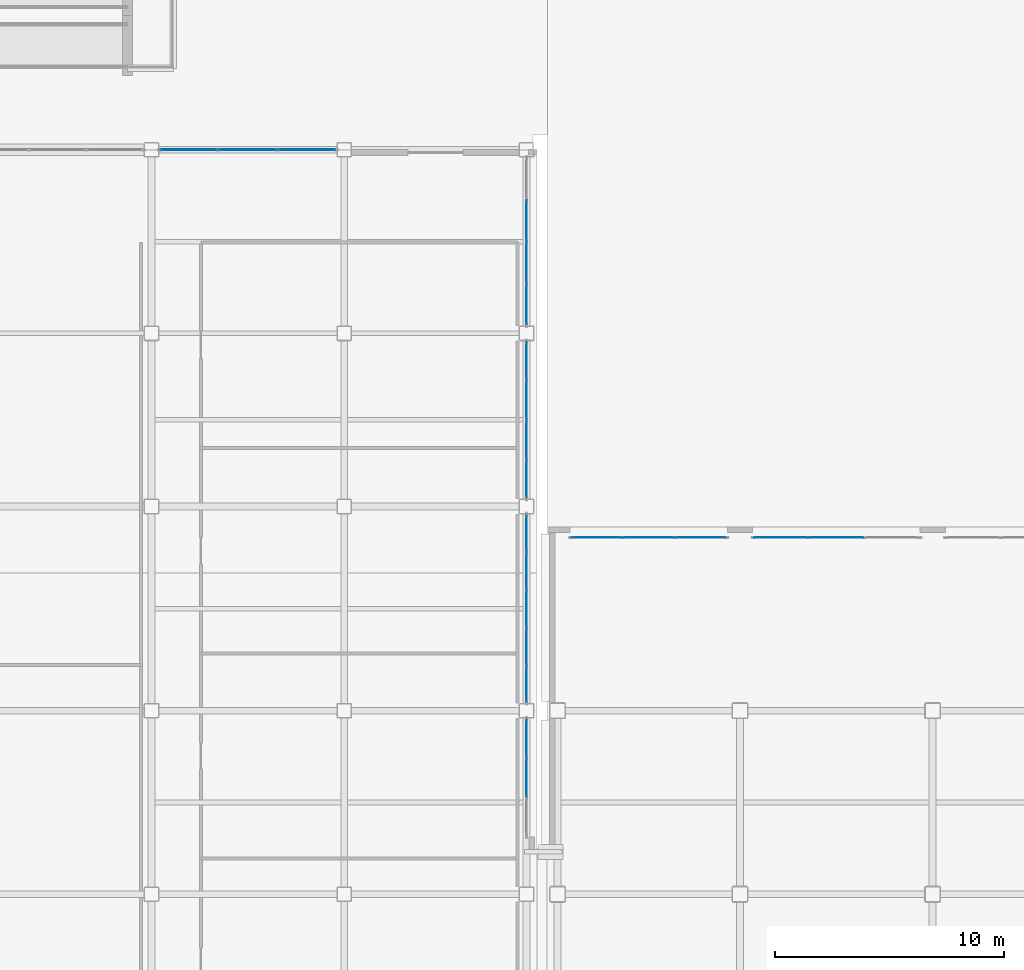
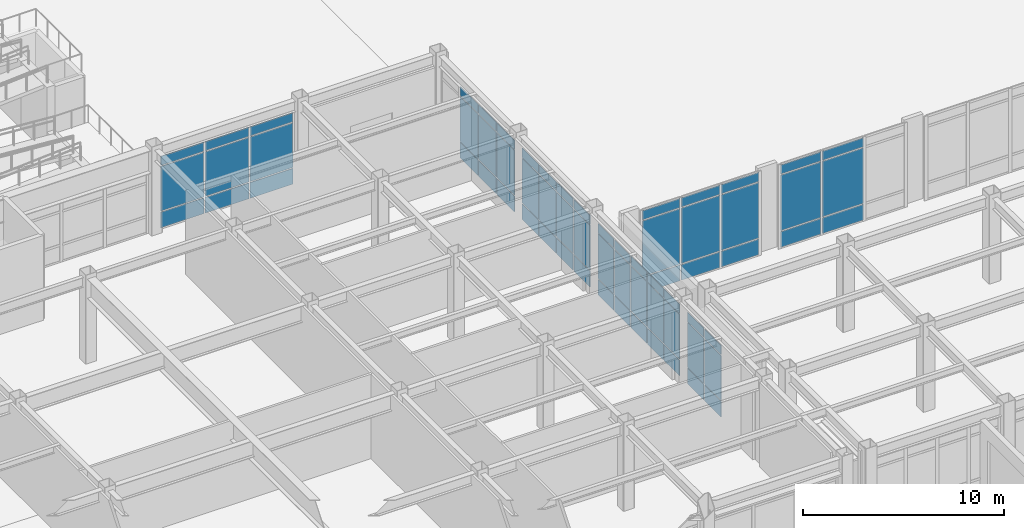
# One storey, part 114 of 165: 66 plates, 7 elements without a shape of their own.
"""IFC4 building model written with IfcOpenShell, lengths in metres."""

from ifc_helpers import new_model, si_unit, direction, frame, origin, origin_2d, place, context, subcontext, project, spatial, rectangle, extrude, material, layer, layer_set, type_object, element, aggregate, save


model = new_model("IFC4")

# Units and contexts
model_context = context("Model", 3, precision=1e-05, world=origin(), true_north=direction((0.0, 1.0)))
body_context = subcontext(model_context, "Body", "Model", "MODEL_VIEW")
ifc_project = project(units=[si_unit("LENGTHUNIT", "METRE"), si_unit("AREAUNIT", "SQUARE_METRE"), si_unit("VOLUMEUNIT", "CUBIC_METRE"), si_unit("PLANEANGLEUNIT", "RADIAN"), si_unit("MASSUNIT", "GRAM", prefix="KILO")], contexts=[model_context])

# Site, building, storey
site_placement = place(None, origin())
site = spatial("IfcSite", under=ifc_project, at=site_placement, CompositionType="ELEMENT")
building_placement = place(site_placement, origin())
building = spatial("IfcBuilding", under=site, at=building_placement, Name="Kazehara Bluff Congress Hotel", CompositionType="ELEMENT")
storey_placement = place(building_placement, origin())
storey = spatial("IfcBuildingStorey", under=building, at=storey_placement, Name="L00", CompositionType="ELEMENT", Elevation=0.0)

# Curtain wall, plates
ifc_material_1 = material(Name="Anodised aluminium", Category="aluminium")
ifc_layer_1 = layer(ifc_material_1, 0.159912109375)
ifc_layer_set_1 = layer_set([ifc_layer_1], Name="Anodised aluminium")
curtain_wall_type_1 = type_object("IfcCurtainWallType", Name="TP-CW-49", PredefinedType="NOTDEFINED", material=ifc_layer_set_1)
curtain_wall_1_placement = place(storey_placement, origin())
curtain_wall_1 = element("IfcCurtainWall", 1, at=curtain_wall_1_placement, inside=storey, type_object=curtain_wall_type_1, Name="L00 curtain wall CW-49 CW-V4-L00-X10920-2650", PredefinedType="NOTDEFINED")
ifc_material_2 = material(Name="Insulated low-E double glazing", Category="glass")
ifc_layer_2 = layer(ifc_material_2, 0.031982421875)
ifc_layer_set_2 = layer_set([ifc_layer_2], Name="Insulated low-E double glazing")
plate_type = type_object("IfcPlateType", Name="TP-CWP-02", PredefinedType="CURTAIN_PANEL", material=ifc_layer_set_2)
plate_1_placement = place(storey_placement, frame((109.199951171875, 29.08740234375, 0.06005859375), z_axis=(0.0, 0.0, 1.0), x_axis=(0.0, 1.0, 0.0)))
plate_1 = element("IfcPlate", 2, at=plate_1_placement, type_object=plate_type, Name="CW-49 panel 2.1", PredefinedType="CURTAIN_PANEL", context=body_context, shape_type="SweptSolid", body=[
    extrude(rectangle(XDim=1.655029296875, YDim=0.031982421875, at=origin_2d()), origin(), (0.0, 0.0, 1.0), 0.9599609375),
])
plate_2_placement = place(storey_placement, frame((109.199951171875, 29.08740234375, 1.080078125), z_axis=(0.0, 0.0, 1.0), x_axis=(0.0, 1.0, 0.0)))
plate_2 = element("IfcPlate", 3, at=plate_2_placement, type_object=plate_type, Name="CW-49 panel 2.2", PredefinedType="CURTAIN_PANEL", context=body_context, shape_type="SweptSolid", body=[
    extrude(rectangle(XDim=1.655029296875, YDim=0.031982421875, at=origin_2d()), origin(), (0.0, 0.0, 1.0), 2.715087890625),
])
plate_3_placement = place(storey_placement, frame((109.199951171875, 29.08740234375, 3.85498046875), z_axis=(0.0, 0.0, 1.0), x_axis=(0.0, 1.0, 0.0)))
plate_3 = element("IfcPlate", 4, at=plate_3_placement, type_object=plate_type, Name="CW-49 panel 2.3", PredefinedType="CURTAIN_PANEL", context=body_context, shape_type="SweptSolid", body=[
    extrude(rectangle(XDim=1.655029296875, YDim=0.031982421875, at=origin_2d()), origin(), (0.0, 0.0, 1.0), 0.56005859375),
])
plate_4_placement = place(storey_placement, frame((109.199951171875, 30.794921875, 0.06005859375), z_axis=(0.0, 0.0, 1.0), x_axis=(0.0, 1.0, 0.0)))
plate_4 = element("IfcPlate", 5, at=plate_4_placement, type_object=plate_type, Name="CW-49 panel 3.1", PredefinedType="CURTAIN_PANEL", context=body_context, shape_type="SweptSolid", body=[
    extrude(rectangle(XDim=1.6201171875, YDim=0.031982421875, at=origin_2d()), origin(), (0.0, 0.0, 1.0), 0.9599609375),
])
plate_5_placement = place(storey_placement, frame((109.199951171875, 30.794921875, 1.080078125), z_axis=(0.0, 0.0, 1.0), x_axis=(0.0, 1.0, 0.0)))
plate_5 = element("IfcPlate", 6, at=plate_5_placement, type_object=plate_type, Name="CW-49 panel 3.2", PredefinedType="CURTAIN_PANEL", context=body_context, shape_type="SweptSolid", body=[
    extrude(rectangle(XDim=1.6201171875, YDim=0.031982421875, at=origin_2d()), origin(), (0.0, 0.0, 1.0), 2.715087890625),
])
plate_6_placement = place(storey_placement, frame((109.199951171875, 30.794921875, 3.85498046875), z_axis=(0.0, 0.0, 1.0), x_axis=(0.0, 1.0, 0.0)))
plate_6 = element("IfcPlate", 7, at=plate_6_placement, type_object=plate_type, Name="CW-49 panel 3.3", PredefinedType="CURTAIN_PANEL", context=body_context, shape_type="SweptSolid", body=[
    extrude(rectangle(XDim=1.6201171875, YDim=0.031982421875, at=origin_2d()), origin(), (0.0, 0.0, 1.0), 0.56005859375),
])
aggregate(curtain_wall_1, [plate_1, plate_2, plate_3, plate_4, plate_5, plate_6])

ifc_material_3 = material(Name="Anodised aluminium", Category="aluminium")
ifc_layer_3 = layer(ifc_material_3, 0.159912109375)
ifc_layer_set_3 = layer_set([ifc_layer_3], Name="Anodised aluminium")
curtain_wall_type_2 = type_object("IfcCurtainWallType", Name="TP-CW-50", PredefinedType="NOTDEFINED", material=ifc_layer_set_3)
curtain_wall_2_placement = place(storey_placement, origin())
curtain_wall_2 = element("IfcCurtainWall", 8, at=curtain_wall_2_placement, inside=storey, type_object=curtain_wall_type_2, Name="L00 curtain wall CW-50 CW-V4-L00-X10920-3233", PredefinedType="NOTDEFINED")
plate_7_placement = place(storey_placement, frame((109.199951171875, 33.16748046875, 0.06494140625), z_axis=(0.0, 0.0, 1.0), x_axis=(0.0, 1.0, 0.0)))
plate_7 = element("IfcPlate", 9, at=plate_7_placement, type_object=plate_type, Name="CW-50 panel 1.1", PredefinedType="CURTAIN_PANEL", context=body_context, shape_type="SweptSolid", body=[
    extrude(rectangle(XDim=1.544921875, YDim=0.031982421875, at=origin_2d()), origin(), (0.0, 0.0, 1.0), 0.952392578125),
])
plate_8_placement = place(storey_placement, frame((109.199951171875, 33.16748046875, 1.08251953125), z_axis=(0.0, 0.0, 1.0), x_axis=(0.0, 1.0, 0.0)))
plate_8 = element("IfcPlate", 10, at=plate_8_placement, type_object=plate_type, Name="CW-50 panel 1.2", PredefinedType="CURTAIN_PANEL", context=body_context, shape_type="SweptSolid", body=[
    extrude(rectangle(XDim=1.544921875, YDim=0.031982421875, at=origin_2d()), origin(), (0.0, 0.0, 1.0), 2.7099609375),
])
plate_9_placement = place(storey_placement, frame((109.199951171875, 33.16748046875, 3.857421875), z_axis=(0.0, 0.0, 1.0), x_axis=(0.0, 1.0, 0.0)))
plate_9 = element("IfcPlate", 11, at=plate_9_placement, type_object=plate_type, Name="CW-50 panel 1.3", PredefinedType="CURTAIN_PANEL", context=body_context, shape_type="SweptSolid", body=[
    extrude(rectangle(XDim=1.544921875, YDim=0.031982421875, at=origin_2d()), origin(), (0.0, 0.0, 1.0), 0.552490234375),
])
plate_10_placement = place(storey_placement, frame((109.199951171875, 34.800048828125, 0.06494140625), z_axis=(0.0, 0.0, 1.0), x_axis=(0.0, 1.0, 0.0)))
plate_10 = element("IfcPlate", 12, at=plate_10_placement, type_object=plate_type, Name="CW-50 panel 2.1", PredefinedType="CURTAIN_PANEL", context=body_context, shape_type="SweptSolid", body=[
    extrude(rectangle(XDim=1.580078125, YDim=0.031982421875, at=origin_2d()), origin(), (0.0, 0.0, 1.0), 0.952392578125),
])
plate_11_placement = place(storey_placement, frame((109.199951171875, 34.800048828125, 1.08251953125), z_axis=(0.0, 0.0, 1.0), x_axis=(0.0, 1.0, 0.0)))
plate_11 = element("IfcPlate", 13, at=plate_11_placement, type_object=plate_type, Name="CW-50 panel 2.2", PredefinedType="CURTAIN_PANEL", context=body_context, shape_type="SweptSolid", body=[
    extrude(rectangle(XDim=1.580078125, YDim=0.031982421875, at=origin_2d()), origin(), (0.0, 0.0, 1.0), 2.7099609375),
])
plate_12_placement = place(storey_placement, frame((109.199951171875, 34.800048828125, 3.857421875), z_axis=(0.0, 0.0, 1.0), x_axis=(0.0, 1.0, 0.0)))
plate_12 = element("IfcPlate", 14, at=plate_12_placement, type_object=plate_type, Name="CW-50 panel 2.3", PredefinedType="CURTAIN_PANEL", context=body_context, shape_type="SweptSolid", body=[
    extrude(rectangle(XDim=1.580078125, YDim=0.031982421875, at=origin_2d()), origin(), (0.0, 0.0, 1.0), 0.552490234375),
])
plate_13_placement = place(storey_placement, frame((109.199951171875, 36.449951171875, 0.06494140625), z_axis=(0.0, 0.0, 1.0), x_axis=(0.0, 1.0, 0.0)))
plate_13 = element("IfcPlate", 15, at=plate_13_placement, type_object=plate_type, Name="CW-50 panel 3.1", PredefinedType="CURTAIN_PANEL", context=body_context, shape_type="SweptSolid", body=[
    extrude(rectangle(XDim=1.580078125, YDim=0.031982421875, at=origin_2d()), origin(), (0.0, 0.0, 1.0), 0.952392578125),
])
plate_14_placement = place(storey_placement, frame((109.199951171875, 36.449951171875, 1.08251953125), z_axis=(0.0, 0.0, 1.0), x_axis=(0.0, 1.0, 0.0)))
plate_14 = element("IfcPlate", 16, at=plate_14_placement, type_object=plate_type, Name="CW-50 panel 3.2", PredefinedType="CURTAIN_PANEL", context=body_context, shape_type="SweptSolid", body=[
    extrude(rectangle(XDim=1.580078125, YDim=0.031982421875, at=origin_2d()), origin(), (0.0, 0.0, 1.0), 2.7099609375),
])
plate_15_placement = place(storey_placement, frame((109.199951171875, 36.449951171875, 3.857421875), z_axis=(0.0, 0.0, 1.0), x_axis=(0.0, 1.0, 0.0)))
plate_15 = element("IfcPlate", 17, at=plate_15_placement, type_object=plate_type, Name="CW-50 panel 3.3", PredefinedType="CURTAIN_PANEL", context=body_context, shape_type="SweptSolid", body=[
    extrude(rectangle(XDim=1.580078125, YDim=0.031982421875, at=origin_2d()), origin(), (0.0, 0.0, 1.0), 0.552490234375),
])
plate_16_placement = place(storey_placement, frame((109.199951171875, 38.10009765625, 0.06494140625), z_axis=(0.0, 0.0, 1.0), x_axis=(0.0, 1.0, 0.0)))
plate_16 = element("IfcPlate", 18, at=plate_16_placement, type_object=plate_type, Name="CW-50 panel 4.1", PredefinedType="CURTAIN_PANEL", context=body_context, shape_type="SweptSolid", body=[
    extrude(rectangle(XDim=1.580078125, YDim=0.031982421875, at=origin_2d()), origin(), (0.0, 0.0, 1.0), 0.952392578125),
])
plate_17_placement = place(storey_placement, frame((109.199951171875, 38.10009765625, 1.08251953125), z_axis=(0.0, 0.0, 1.0), x_axis=(0.0, 1.0, 0.0)))
plate_17 = element("IfcPlate", 19, at=plate_17_placement, type_object=plate_type, Name="CW-50 panel 4.2", PredefinedType="CURTAIN_PANEL", context=body_context, shape_type="SweptSolid", body=[
    extrude(rectangle(XDim=1.580078125, YDim=0.031982421875, at=origin_2d()), origin(), (0.0, 0.0, 1.0), 2.7099609375),
])
plate_18_placement = place(storey_placement, frame((109.199951171875, 38.10009765625, 3.857421875), z_axis=(0.0, 0.0, 1.0), x_axis=(0.0, 1.0, 0.0)))
plate_18 = element("IfcPlate", 20, at=plate_18_placement, type_object=plate_type, Name="CW-50 panel 4.3", PredefinedType="CURTAIN_PANEL", context=body_context, shape_type="SweptSolid", body=[
    extrude(rectangle(XDim=1.580078125, YDim=0.031982421875, at=origin_2d()), origin(), (0.0, 0.0, 1.0), 0.552490234375),
])
plate_19_placement = place(storey_placement, frame((109.199951171875, 39.732421875, 0.06494140625), z_axis=(0.0, 0.0, 1.0), x_axis=(0.0, 1.0, 0.0)))
plate_19 = element("IfcPlate", 21, at=plate_19_placement, type_object=plate_type, Name="CW-50 panel 5.1", PredefinedType="CURTAIN_PANEL", context=body_context, shape_type="SweptSolid", body=[
    extrude(rectangle(XDim=1.544921875, YDim=0.031982421875, at=origin_2d()), origin(), (0.0, 0.0, 1.0), 0.952392578125),
])
plate_20_placement = place(storey_placement, frame((109.199951171875, 39.732421875, 1.08251953125), z_axis=(0.0, 0.0, 1.0), x_axis=(0.0, 1.0, 0.0)))
plate_20 = element("IfcPlate", 22, at=plate_20_placement, type_object=plate_type, Name="CW-50 panel 5.2", PredefinedType="CURTAIN_PANEL", context=body_context, shape_type="SweptSolid", body=[
    extrude(rectangle(XDim=1.544921875, YDim=0.031982421875, at=origin_2d()), origin(), (0.0, 0.0, 1.0), 2.7099609375),
])
plate_21_placement = place(storey_placement, frame((109.199951171875, 39.732421875, 3.857421875), z_axis=(0.0, 0.0, 1.0), x_axis=(0.0, 1.0, 0.0)))
plate_21 = element("IfcPlate", 23, at=plate_21_placement, type_object=plate_type, Name="CW-50 panel 5.3", PredefinedType="CURTAIN_PANEL", context=body_context, shape_type="SweptSolid", body=[
    extrude(rectangle(XDim=1.544921875, YDim=0.031982421875, at=origin_2d()), origin(), (0.0, 0.0, 1.0), 0.552490234375),
])
aggregate(curtain_wall_2, [plate_7, plate_8, plate_9, plate_10, plate_11, plate_12, plate_13, plate_14, plate_15, plate_16, plate_17, plate_18, plate_19, plate_20, plate_21])

ifc_material_4 = material(Name="Anodised aluminium", Category="aluminium")
ifc_layer_4 = layer(ifc_material_4, 0.159912109375)
ifc_layer_set_4 = layer_set([ifc_layer_4], Name="Anodised aluminium")
curtain_wall_type_3 = type_object("IfcCurtainWallType", Name="TP-CW-51", PredefinedType="NOTDEFINED", material=ifc_layer_set_4)
curtain_wall_3_placement = place(storey_placement, origin())
curtain_wall_3 = element("IfcCurtainWall", 24, at=curtain_wall_3_placement, inside=storey, type_object=curtain_wall_type_3, Name="L00 curtain wall CW-51 CW-V4-L00-X10920-4122", PredefinedType="NOTDEFINED")
plate_22_placement = place(storey_placement, frame((109.199951171875, 42.10498046875, 0.06494140625), z_axis=(0.0, 0.0, 1.0), x_axis=(0.0, 1.0, 0.0)))
plate_22 = element("IfcPlate", 25, at=plate_22_placement, type_object=plate_type, Name="CW-51 panel 1.1", PredefinedType="CURTAIN_PANEL", context=body_context, shape_type="SweptSolid", body=[
    extrude(rectangle(XDim=1.6201171875, YDim=0.031982421875, at=origin_2d()), origin(), (0.0, 0.0, 1.0), 0.952392578125),
])
plate_23_placement = place(storey_placement, frame((109.199951171875, 42.10498046875, 1.08251953125), z_axis=(0.0, 0.0, 1.0), x_axis=(0.0, 1.0, 0.0)))
plate_23 = element("IfcPlate", 26, at=plate_23_placement, type_object=plate_type, Name="CW-51 panel 1.2", PredefinedType="CURTAIN_PANEL", context=body_context, shape_type="SweptSolid", body=[
    extrude(rectangle(XDim=1.6201171875, YDim=0.031982421875, at=origin_2d()), origin(), (0.0, 0.0, 1.0), 2.7099609375),
])
plate_24_placement = place(storey_placement, frame((109.199951171875, 42.10498046875, 3.857421875), z_axis=(0.0, 0.0, 1.0), x_axis=(0.0, 1.0, 0.0)))
plate_24 = element("IfcPlate", 27, at=plate_24_placement, type_object=plate_type, Name="CW-51 panel 1.3", PredefinedType="CURTAIN_PANEL", context=body_context, shape_type="SweptSolid", body=[
    extrude(rectangle(XDim=1.6201171875, YDim=0.031982421875, at=origin_2d()), origin(), (0.0, 0.0, 1.0), 0.552490234375),
])
plate_25_placement = place(storey_placement, frame((109.199951171875, 43.8125, 0.06494140625), z_axis=(0.0, 0.0, 1.0), x_axis=(0.0, 1.0, 0.0)))
plate_25 = element("IfcPlate", 28, at=plate_25_placement, type_object=plate_type, Name="CW-51 panel 2.1", PredefinedType="CURTAIN_PANEL", context=body_context, shape_type="SweptSolid", body=[
    extrude(rectangle(XDim=1.655029296875, YDim=0.031982421875, at=origin_2d()), origin(), (0.0, 0.0, 1.0), 0.952392578125),
])
plate_26_placement = place(storey_placement, frame((109.199951171875, 43.8125, 1.08251953125), z_axis=(0.0, 0.0, 1.0), x_axis=(0.0, 1.0, 0.0)))
plate_26 = element("IfcPlate", 29, at=plate_26_placement, type_object=plate_type, Name="CW-51 panel 2.2", PredefinedType="CURTAIN_PANEL", context=body_context, shape_type="SweptSolid", body=[
    extrude(rectangle(XDim=1.655029296875, YDim=0.031982421875, at=origin_2d()), origin(), (0.0, 0.0, 1.0), 2.7099609375),
])
plate_27_placement = place(storey_placement, frame((109.199951171875, 43.8125, 3.857421875), z_axis=(0.0, 0.0, 1.0), x_axis=(0.0, 1.0, 0.0)))
plate_27 = element("IfcPlate", 30, at=plate_27_placement, type_object=plate_type, Name="CW-51 panel 2.3", PredefinedType="CURTAIN_PANEL", context=body_context, shape_type="SweptSolid", body=[
    extrude(rectangle(XDim=1.655029296875, YDim=0.031982421875, at=origin_2d()), origin(), (0.0, 0.0, 1.0), 0.552490234375),
])
plate_28_placement = place(storey_placement, frame((109.199951171875, 45.53759765625, 0.06494140625), z_axis=(0.0, 0.0, 1.0), x_axis=(0.0, 1.0, 0.0)))
plate_28 = element("IfcPlate", 31, at=plate_28_placement, type_object=plate_type, Name="CW-51 panel 3.1", PredefinedType="CURTAIN_PANEL", context=body_context, shape_type="SweptSolid", body=[
    extrude(rectangle(XDim=1.655029296875, YDim=0.031982421875, at=origin_2d()), origin(), (0.0, 0.0, 1.0), 0.952392578125),
])
plate_29_placement = place(storey_placement, frame((109.199951171875, 45.53759765625, 1.08251953125), z_axis=(0.0, 0.0, 1.0), x_axis=(0.0, 1.0, 0.0)))
plate_29 = element("IfcPlate", 32, at=plate_29_placement, type_object=plate_type, Name="CW-51 panel 3.2", PredefinedType="CURTAIN_PANEL", context=body_context, shape_type="SweptSolid", body=[
    extrude(rectangle(XDim=1.655029296875, YDim=0.031982421875, at=origin_2d()), origin(), (0.0, 0.0, 1.0), 2.7099609375),
])
plate_30_placement = place(storey_placement, frame((109.199951171875, 45.53759765625, 3.857421875), z_axis=(0.0, 0.0, 1.0), x_axis=(0.0, 1.0, 0.0)))
plate_30 = element("IfcPlate", 33, at=plate_30_placement, type_object=plate_type, Name="CW-51 panel 3.3", PredefinedType="CURTAIN_PANEL", context=body_context, shape_type="SweptSolid", body=[
    extrude(rectangle(XDim=1.655029296875, YDim=0.031982421875, at=origin_2d()), origin(), (0.0, 0.0, 1.0), 0.552490234375),
])
plate_31_placement = place(storey_placement, frame((109.199951171875, 47.2451171875, 0.06494140625), z_axis=(0.0, 0.0, 1.0), x_axis=(0.0, 1.0, 0.0)))
plate_31 = element("IfcPlate", 34, at=plate_31_placement, type_object=plate_type, Name="CW-51 panel 4.1", PredefinedType="CURTAIN_PANEL", context=body_context, shape_type="SweptSolid", body=[
    extrude(rectangle(XDim=1.6201171875, YDim=0.031982421875, at=origin_2d()), origin(), (0.0, 0.0, 1.0), 0.952392578125),
])
plate_32_placement = place(storey_placement, frame((109.199951171875, 47.2451171875, 1.08251953125), z_axis=(0.0, 0.0, 1.0), x_axis=(0.0, 1.0, 0.0)))
plate_32 = element("IfcPlate", 35, at=plate_32_placement, type_object=plate_type, Name="CW-51 panel 4.2", PredefinedType="CURTAIN_PANEL", context=body_context, shape_type="SweptSolid", body=[
    extrude(rectangle(XDim=1.6201171875, YDim=0.031982421875, at=origin_2d()), origin(), (0.0, 0.0, 1.0), 2.7099609375),
])
plate_33_placement = place(storey_placement, frame((109.199951171875, 47.2451171875, 3.857421875), z_axis=(0.0, 0.0, 1.0), x_axis=(0.0, 1.0, 0.0)))
plate_33 = element("IfcPlate", 36, at=plate_33_placement, type_object=plate_type, Name="CW-51 panel 4.3", PredefinedType="CURTAIN_PANEL", context=body_context, shape_type="SweptSolid", body=[
    extrude(rectangle(XDim=1.6201171875, YDim=0.031982421875, at=origin_2d()), origin(), (0.0, 0.0, 1.0), 0.552490234375),
])
aggregate(curtain_wall_3, [plate_22, plate_23, plate_24, plate_25, plate_26, plate_27, plate_28, plate_29, plate_30, plate_31, plate_32, plate_33])

ifc_material_5 = material(Name="Anodised aluminium", Category="aluminium")
ifc_layer_5 = layer(ifc_material_5, 0.159912109375)
ifc_layer_set_5 = layer_set([ifc_layer_5], Name="Anodised aluminium")
curtain_wall_type_4 = type_object("IfcCurtainWallType", Name="TP-CW-52", PredefinedType="NOTDEFINED", material=ifc_layer_set_5)
curtain_wall_4_placement = place(storey_placement, origin())
curtain_wall_4 = element("IfcCurtainWall", 37, at=curtain_wall_4_placement, inside=storey, type_object=curtain_wall_type_4, Name="L00 curtain wall CW-52 CW-V4-L00-X10920-4878", PredefinedType="NOTDEFINED")
plate_34_placement = place(storey_placement, frame((109.199951171875, 49.711181640625, 0.06494140625), z_axis=(0.0, 0.0, 1.0), x_axis=(0.0, 1.0, 0.0)))
plate_34 = element("IfcPlate", 38, at=plate_34_placement, type_object=plate_type, Name="CW-52 panel 1.1", PredefinedType="CURTAIN_PANEL", context=body_context, shape_type="SweptSolid", body=[
    extrude(rectangle(XDim=1.732421875, YDim=0.031982421875, at=origin_2d()), origin(), (0.0, 0.0, 1.0), 0.952392578125),
])
plate_35_placement = place(storey_placement, frame((109.199951171875, 49.711181640625, 1.08251953125), z_axis=(0.0, 0.0, 1.0), x_axis=(0.0, 1.0, 0.0)))
plate_35 = element("IfcPlate", 39, at=plate_35_placement, type_object=plate_type, Name="CW-52 panel 1.2", PredefinedType="CURTAIN_PANEL", context=body_context, shape_type="SweptSolid", body=[
    extrude(rectangle(XDim=1.732421875, YDim=0.031982421875, at=origin_2d()), origin(), (0.0, 0.0, 1.0), 2.7099609375),
])
plate_36_placement = place(storey_placement, frame((109.199951171875, 49.711181640625, 3.857421875), z_axis=(0.0, 0.0, 1.0), x_axis=(0.0, 1.0, 0.0)))
plate_36 = element("IfcPlate", 40, at=plate_36_placement, type_object=plate_type, Name="CW-52 panel 1.3", PredefinedType="CURTAIN_PANEL", context=body_context, shape_type="SweptSolid", body=[
    extrude(rectangle(XDim=1.732421875, YDim=0.031982421875, at=origin_2d()), origin(), (0.0, 0.0, 1.0), 0.552490234375),
])
plate_37_placement = place(storey_placement, frame((109.199951171875, 51.53125, 0.06494140625), z_axis=(0.0, 0.0, 1.0), x_axis=(0.0, 1.0, 0.0)))
plate_37 = element("IfcPlate", 41, at=plate_37_placement, type_object=plate_type, Name="CW-52 panel 2.1", PredefinedType="CURTAIN_PANEL", context=body_context, shape_type="SweptSolid", body=[
    extrude(rectangle(XDim=1.767578125, YDim=0.031982421875, at=origin_2d()), origin(), (0.0, 0.0, 1.0), 0.952392578125),
])
plate_38_placement = place(storey_placement, frame((109.199951171875, 51.53125, 1.08251953125), z_axis=(0.0, 0.0, 1.0), x_axis=(0.0, 1.0, 0.0)))
plate_38 = element("IfcPlate", 42, at=plate_38_placement, type_object=plate_type, Name="CW-52 panel 2.2", PredefinedType="CURTAIN_PANEL", context=body_context, shape_type="SweptSolid", body=[
    extrude(rectangle(XDim=1.767578125, YDim=0.031982421875, at=origin_2d()), origin(), (0.0, 0.0, 1.0), 2.7099609375),
])
plate_39_placement = place(storey_placement, frame((109.199951171875, 51.53125, 3.857421875), z_axis=(0.0, 0.0, 1.0), x_axis=(0.0, 1.0, 0.0)))
plate_39 = element("IfcPlate", 43, at=plate_39_placement, type_object=plate_type, Name="CW-52 panel 2.3", PredefinedType="CURTAIN_PANEL", context=body_context, shape_type="SweptSolid", body=[
    extrude(rectangle(XDim=1.767578125, YDim=0.031982421875, at=origin_2d()), origin(), (0.0, 0.0, 1.0), 0.552490234375),
])
plate_40_placement = place(storey_placement, frame((109.199951171875, 53.36865234375, 0.06494140625), z_axis=(0.0, 0.0, 1.0), x_axis=(0.0, 1.0, 0.0)))
plate_40 = element("IfcPlate", 44, at=plate_40_placement, type_object=plate_type, Name="CW-52 panel 3.1", PredefinedType="CURTAIN_PANEL", context=body_context, shape_type="SweptSolid", body=[
    extrude(rectangle(XDim=1.767578125, YDim=0.031982421875, at=origin_2d()), origin(), (0.0, 0.0, 1.0), 0.952392578125),
])
plate_41_placement = place(storey_placement, frame((109.199951171875, 53.36865234375, 1.08251953125), z_axis=(0.0, 0.0, 1.0), x_axis=(0.0, 1.0, 0.0)))
plate_41 = element("IfcPlate", 45, at=plate_41_placement, type_object=plate_type, Name="CW-52 panel 3.2", PredefinedType="CURTAIN_PANEL", context=body_context, shape_type="SweptSolid", body=[
    extrude(rectangle(XDim=1.767578125, YDim=0.031982421875, at=origin_2d()), origin(), (0.0, 0.0, 1.0), 2.7099609375),
])
plate_42_placement = place(storey_placement, frame((109.199951171875, 53.36865234375, 3.857421875), z_axis=(0.0, 0.0, 1.0), x_axis=(0.0, 1.0, 0.0)))
plate_42 = element("IfcPlate", 46, at=plate_42_placement, type_object=plate_type, Name="CW-52 panel 3.3", PredefinedType="CURTAIN_PANEL", context=body_context, shape_type="SweptSolid", body=[
    extrude(rectangle(XDim=1.767578125, YDim=0.031982421875, at=origin_2d()), origin(), (0.0, 0.0, 1.0), 0.552490234375),
])
aggregate(curtain_wall_4, [plate_34, plate_35, plate_36, plate_37, plate_38, plate_39, plate_40, plate_41, plate_42])

ifc_material_6 = material(Name="Anodised aluminium", Category="aluminium")
ifc_layer_6 = layer(ifc_material_6, 0.159912109375)
ifc_layer_set_6 = layer_set([ifc_layer_6], Name="Anodised aluminium")
curtain_wall_type_5 = type_object("IfcCurtainWallType", Name="TP-CW-69", PredefinedType="NOTDEFINED", material=ifc_layer_set_6)
curtain_wall_5_placement = place(storey_placement, origin())
curtain_wall_5 = element("IfcCurtainWall", 47, at=curtain_wall_5_placement, inside=storey, type_object=curtain_wall_type_5, Name="L00 curtain wall CW-69 CW-V4-L00-Y5645-9318", PredefinedType="NOTDEFINED")
plate_43_placement = place(storey_placement, frame((94.484130859375, 56.449951171875, 0.06494140625), z_axis=(0.0, 0.0, 1.0), x_axis=(1.0, 0.0, 0.0)))
plate_43 = element("IfcPlate", 48, at=plate_43_placement, type_object=plate_type, Name="CW-69 panel 1.1", PredefinedType="CURTAIN_PANEL", context=body_context, shape_type="SweptSolid", body=[
    extrude(rectangle(XDim=2.478271484375, YDim=0.031982421875, at=origin_2d()), origin(), (0.0, 0.0, 1.0), 0.952392578125),
])
plate_44_placement = place(storey_placement, frame((94.484130859375, 56.449951171875, 1.08251953125), z_axis=(0.0, 0.0, 1.0), x_axis=(1.0, 0.0, 0.0)))
plate_44 = element("IfcPlate", 49, at=plate_44_placement, type_object=plate_type, Name="CW-69 panel 1.2", PredefinedType="CURTAIN_PANEL", context=body_context, shape_type="SweptSolid", body=[
    extrude(rectangle(XDim=2.478271484375, YDim=0.031982421875, at=origin_2d()), origin(), (0.0, 0.0, 1.0), 2.7099609375),
])
plate_45_placement = place(storey_placement, frame((94.484130859375, 56.449951171875, 3.857421875), z_axis=(0.0, 0.0, 1.0), x_axis=(1.0, 0.0, 0.0)))
plate_45 = element("IfcPlate", 50, at=plate_45_placement, type_object=plate_type, Name="CW-69 panel 1.3", PredefinedType="CURTAIN_PANEL", context=body_context, shape_type="SweptSolid", body=[
    extrude(rectangle(XDim=2.478271484375, YDim=0.031982421875, at=origin_2d()), origin(), (0.0, 0.0, 1.0), 0.552490234375),
])
plate_46_placement = place(storey_placement, frame((97.050048828125, 56.449951171875, 0.06494140625), z_axis=(0.0, 0.0, 1.0), x_axis=(1.0, 0.0, 0.0)))
plate_46 = element("IfcPlate", 51, at=plate_46_placement, type_object=plate_type, Name="CW-69 panel 2.1", PredefinedType="CURTAIN_PANEL", context=body_context, shape_type="SweptSolid", body=[
    extrude(rectangle(XDim=2.513427734375, YDim=0.031982421875, at=origin_2d()), origin(), (0.0, 0.0, 1.0), 0.952392578125),
])
plate_47_placement = place(storey_placement, frame((97.050048828125, 56.449951171875, 1.08251953125), z_axis=(0.0, 0.0, 1.0), x_axis=(1.0, 0.0, 0.0)))
plate_47 = element("IfcPlate", 52, at=plate_47_placement, type_object=plate_type, Name="CW-69 panel 2.2", PredefinedType="CURTAIN_PANEL", context=body_context, shape_type="SweptSolid", body=[
    extrude(rectangle(XDim=2.513427734375, YDim=0.031982421875, at=origin_2d()), origin(), (0.0, 0.0, 1.0), 2.7099609375),
])
plate_48_placement = place(storey_placement, frame((97.050048828125, 56.449951171875, 3.857421875), z_axis=(0.0, 0.0, 1.0), x_axis=(1.0, 0.0, 0.0)))
plate_48 = element("IfcPlate", 53, at=plate_48_placement, type_object=plate_type, Name="CW-69 panel 2.3", PredefinedType="CURTAIN_PANEL", context=body_context, shape_type="SweptSolid", body=[
    extrude(rectangle(XDim=2.513427734375, YDim=0.031982421875, at=origin_2d()), origin(), (0.0, 0.0, 1.0), 0.552490234375),
])
plate_49_placement = place(storey_placement, frame((99.61572265625, 56.449951171875, 0.06494140625), z_axis=(0.0, 0.0, 1.0), x_axis=(1.0, 0.0, 0.0)))
plate_49 = element("IfcPlate", 54, at=plate_49_placement, type_object=plate_type, Name="CW-69 panel 3.1", PredefinedType="CURTAIN_PANEL", context=body_context, shape_type="SweptSolid", body=[
    extrude(rectangle(XDim=2.478271484375, YDim=0.031982421875, at=origin_2d()), origin(), (0.0, 0.0, 1.0), 0.952392578125),
])
plate_50_placement = place(storey_placement, frame((99.61572265625, 56.449951171875, 1.08251953125), z_axis=(0.0, 0.0, 1.0), x_axis=(1.0, 0.0, 0.0)))
plate_50 = element("IfcPlate", 55, at=plate_50_placement, type_object=plate_type, Name="CW-69 panel 3.2", PredefinedType="CURTAIN_PANEL", context=body_context, shape_type="SweptSolid", body=[
    extrude(rectangle(XDim=2.478271484375, YDim=0.031982421875, at=origin_2d()), origin(), (0.0, 0.0, 1.0), 2.7099609375),
])
plate_51_placement = place(storey_placement, frame((99.61572265625, 56.449951171875, 3.857421875), z_axis=(0.0, 0.0, 1.0), x_axis=(1.0, 0.0, 0.0)))
plate_51 = element("IfcPlate", 56, at=plate_51_placement, type_object=plate_type, Name="CW-69 panel 3.3", PredefinedType="CURTAIN_PANEL", context=body_context, shape_type="SweptSolid", body=[
    extrude(rectangle(XDim=2.478271484375, YDim=0.031982421875, at=origin_2d()), origin(), (0.0, 0.0, 1.0), 0.552490234375),
])
aggregate(curtain_wall_5, [plate_43, plate_44, plate_45, plate_46, plate_47, plate_48, plate_49, plate_50, plate_51])

ifc_material_7 = material(Name="Anodised aluminium", Category="aluminium")
ifc_layer_7 = layer(ifc_material_7, 0.159912109375)
ifc_layer_set_7 = layer_set([ifc_layer_7], Name="Anodised aluminium")
curtain_wall_type_6 = type_object("IfcCurtainWallType", Name="TP-CW-81", PredefinedType="NOTDEFINED", material=ifc_layer_set_7)
curtain_wall_6_placement = place(storey_placement, origin())
curtain_wall_6 = element("IfcCurtainWall", 57, at=curtain_wall_6_placement, inside=storey, type_object=curtain_wall_type_6, Name="L00 curtain wall CW-81 CW-V5-L00-Y3955-11110", PredefinedType="NOTDEFINED")
plate_52_placement = place(storey_placement, frame((112.25927734375, 39.550048828125, 0.06494140625), z_axis=(0.0, 0.0, 1.0), x_axis=(1.0, 0.0, 0.0)))
plate_52 = element("IfcPlate", 58, at=plate_52_placement, type_object=plate_type, Name="CW-81 panel 1.1", PredefinedType="CURTAIN_PANEL", context=body_context, shape_type="SweptSolid", body=[
    extrude(rectangle(XDim=2.17822265625, YDim=0.031982421875, at=origin_2d()), origin(), (0.0, 0.0, 1.0), 0.952392578125),
])
plate_53_placement = place(storey_placement, frame((112.25927734375, 39.550048828125, 1.08251953125), z_axis=(0.0, 0.0, 1.0), x_axis=(1.0, 0.0, 0.0)))
plate_53 = element("IfcPlate", 59, at=plate_53_placement, type_object=plate_type, Name="CW-81 panel 1.2", PredefinedType="CURTAIN_PANEL", context=body_context, shape_type="SweptSolid", body=[
    extrude(rectangle(XDim=2.17822265625, YDim=0.031982421875, at=origin_2d()), origin(), (0.0, 0.0, 1.0), 3.3701171875),
])
plate_54_placement = place(storey_placement, frame((112.25927734375, 39.550048828125, 4.517578125), z_axis=(0.0, 0.0, 1.0), x_axis=(1.0, 0.0, 0.0)))
plate_54 = element("IfcPlate", 60, at=plate_54_placement, type_object=plate_type, Name="CW-81 panel 1.3", PredefinedType="CURTAIN_PANEL", context=body_context, shape_type="SweptSolid", body=[
    extrude(rectangle(XDim=2.17822265625, YDim=0.031982421875, at=origin_2d()), origin(), (0.0, 0.0, 1.0), 0.552490234375),
])
plate_55_placement = place(storey_placement, frame((114.52490234375, 39.550048828125, 0.06494140625), z_axis=(0.0, 0.0, 1.0), x_axis=(1.0, 0.0, 0.0)))
plate_55 = element("IfcPlate", 61, at=plate_55_placement, type_object=plate_type, Name="CW-81 panel 2.1", PredefinedType="CURTAIN_PANEL", context=body_context, shape_type="SweptSolid", body=[
    extrude(rectangle(XDim=2.21337890625, YDim=0.031982421875, at=origin_2d()), origin(), (0.0, 0.0, 1.0), 0.952392578125),
])
plate_56_placement = place(storey_placement, frame((114.52490234375, 39.550048828125, 1.08251953125), z_axis=(0.0, 0.0, 1.0), x_axis=(1.0, 0.0, 0.0)))
plate_56 = element("IfcPlate", 62, at=plate_56_placement, type_object=plate_type, Name="CW-81 panel 2.2", PredefinedType="CURTAIN_PANEL", context=body_context, shape_type="SweptSolid", body=[
    extrude(rectangle(XDim=2.21337890625, YDim=0.031982421875, at=origin_2d()), origin(), (0.0, 0.0, 1.0), 3.3701171875),
])
plate_57_placement = place(storey_placement, frame((114.52490234375, 39.550048828125, 4.517578125), z_axis=(0.0, 0.0, 1.0), x_axis=(1.0, 0.0, 0.0)))
plate_57 = element("IfcPlate", 63, at=plate_57_placement, type_object=plate_type, Name="CW-81 panel 2.3", PredefinedType="CURTAIN_PANEL", context=body_context, shape_type="SweptSolid", body=[
    extrude(rectangle(XDim=2.21337890625, YDim=0.031982421875, at=origin_2d()), origin(), (0.0, 0.0, 1.0), 0.552490234375),
])
plate_58_placement = place(storey_placement, frame((116.790771484375, 39.550048828125, 0.06494140625), z_axis=(0.0, 0.0, 1.0), x_axis=(1.0, 0.0, 0.0)))
plate_58 = element("IfcPlate", 64, at=plate_58_placement, type_object=plate_type, Name="CW-81 panel 3.1", PredefinedType="CURTAIN_PANEL", context=body_context, shape_type="SweptSolid", body=[
    extrude(rectangle(XDim=2.17822265625, YDim=0.031982421875, at=origin_2d()), origin(), (0.0, 0.0, 1.0), 0.952392578125),
])
plate_59_placement = place(storey_placement, frame((116.790771484375, 39.550048828125, 1.08251953125), z_axis=(0.0, 0.0, 1.0), x_axis=(1.0, 0.0, 0.0)))
plate_59 = element("IfcPlate", 65, at=plate_59_placement, type_object=plate_type, Name="CW-81 panel 3.2", PredefinedType="CURTAIN_PANEL", context=body_context, shape_type="SweptSolid", body=[
    extrude(rectangle(XDim=2.17822265625, YDim=0.031982421875, at=origin_2d()), origin(), (0.0, 0.0, 1.0), 3.3701171875),
])
plate_60_placement = place(storey_placement, frame((116.790771484375, 39.550048828125, 4.517578125), z_axis=(0.0, 0.0, 1.0), x_axis=(1.0, 0.0, 0.0)))
plate_60 = element("IfcPlate", 66, at=plate_60_placement, type_object=plate_type, Name="CW-81 panel 3.3", PredefinedType="CURTAIN_PANEL", context=body_context, shape_type="SweptSolid", body=[
    extrude(rectangle(XDim=2.17822265625, YDim=0.031982421875, at=origin_2d()), origin(), (0.0, 0.0, 1.0), 0.552490234375),
])
aggregate(curtain_wall_6, [plate_52, plate_53, plate_54, plate_55, plate_56, plate_57, plate_58, plate_59, plate_60])

ifc_material_8 = material(Name="Anodised aluminium", Category="aluminium")
ifc_layer_8 = layer(ifc_material_8, 0.159912109375)
ifc_layer_set_8 = layer_set([ifc_layer_8], Name="Anodised aluminium")
curtain_wall_type_7 = type_object("IfcCurtainWallType", Name="TP-CW-46", PredefinedType="NOTDEFINED", material=ifc_layer_set_8)
curtain_wall_7_placement = place(storey_placement, origin())
curtain_wall_7 = element("IfcCurtainWall", 67, at=curtain_wall_7_placement, inside=storey, type_object=curtain_wall_type_7, Name="L00 curtain wall CW-46 CW-V5-L00-Y3955-11905", PredefinedType="NOTDEFINED")
plate_61_placement = place(storey_placement, frame((120.2841796875, 39.550048828125, 0.06494140625), z_axis=(0.0, 0.0, 1.0), x_axis=(1.0, 0.0, 0.0)))
plate_61 = element("IfcPlate", 68, at=plate_61_placement, type_object=plate_type, Name="CW-46 panel 1.1", PredefinedType="CURTAIN_PANEL", context=body_context, shape_type="SweptSolid", body=[
    extrude(rectangle(XDim=2.328369140625, YDim=0.031982421875, at=origin_2d()), origin(), (0.0, 0.0, 1.0), 0.952392578125),
])
plate_62_placement = place(storey_placement, frame((120.2841796875, 39.550048828125, 1.08251953125), z_axis=(0.0, 0.0, 1.0), x_axis=(1.0, 0.0, 0.0)))
plate_62 = element("IfcPlate", 69, at=plate_62_placement, type_object=plate_type, Name="CW-46 panel 1.2", PredefinedType="CURTAIN_PANEL", context=body_context, shape_type="SweptSolid", body=[
    extrude(rectangle(XDim=2.328369140625, YDim=0.031982421875, at=origin_2d()), origin(), (0.0, 0.0, 1.0), 3.3701171875),
])
plate_63_placement = place(storey_placement, frame((120.2841796875, 39.550048828125, 4.517578125), z_axis=(0.0, 0.0, 1.0), x_axis=(1.0, 0.0, 0.0)))
plate_63 = element("IfcPlate", 70, at=plate_63_placement, type_object=plate_type, Name="CW-46 panel 1.3", PredefinedType="CURTAIN_PANEL", context=body_context, shape_type="SweptSolid", body=[
    extrude(rectangle(XDim=2.328369140625, YDim=0.031982421875, at=origin_2d()), origin(), (0.0, 0.0, 1.0), 0.552490234375),
])
plate_64_placement = place(storey_placement, frame((122.699951171875, 39.550048828125, 0.06494140625), z_axis=(0.0, 0.0, 1.0), x_axis=(1.0, 0.0, 0.0)))
plate_64 = element("IfcPlate", 71, at=plate_64_placement, type_object=plate_type, Name="CW-46 panel 2.1", PredefinedType="CURTAIN_PANEL", context=body_context, shape_type="SweptSolid", body=[
    extrude(rectangle(XDim=2.36328125, YDim=0.031982421875, at=origin_2d()), origin(), (0.0, 0.0, 1.0), 0.952392578125),
])
plate_65_placement = place(storey_placement, frame((122.699951171875, 39.550048828125, 1.08251953125), z_axis=(0.0, 0.0, 1.0), x_axis=(1.0, 0.0, 0.0)))
plate_65 = element("IfcPlate", 72, at=plate_65_placement, type_object=plate_type, Name="CW-46 panel 2.2", PredefinedType="CURTAIN_PANEL", context=body_context, shape_type="SweptSolid", body=[
    extrude(rectangle(XDim=2.36328125, YDim=0.031982421875, at=origin_2d()), origin(), (0.0, 0.0, 1.0), 3.3701171875),
])
plate_66_placement = place(storey_placement, frame((122.699951171875, 39.550048828125, 4.517578125), z_axis=(0.0, 0.0, 1.0), x_axis=(1.0, 0.0, 0.0)))
plate_66 = element("IfcPlate", 73, at=plate_66_placement, type_object=plate_type, Name="CW-46 panel 2.3", PredefinedType="CURTAIN_PANEL", context=body_context, shape_type="SweptSolid", body=[
    extrude(rectangle(XDim=2.36328125, YDim=0.031982421875, at=origin_2d()), origin(), (0.0, 0.0, 1.0), 0.552490234375),
])
aggregate(curtain_wall_7, [plate_61, plate_62, plate_63, plate_64, plate_65, plate_66])

save(model, "model.ifc")
